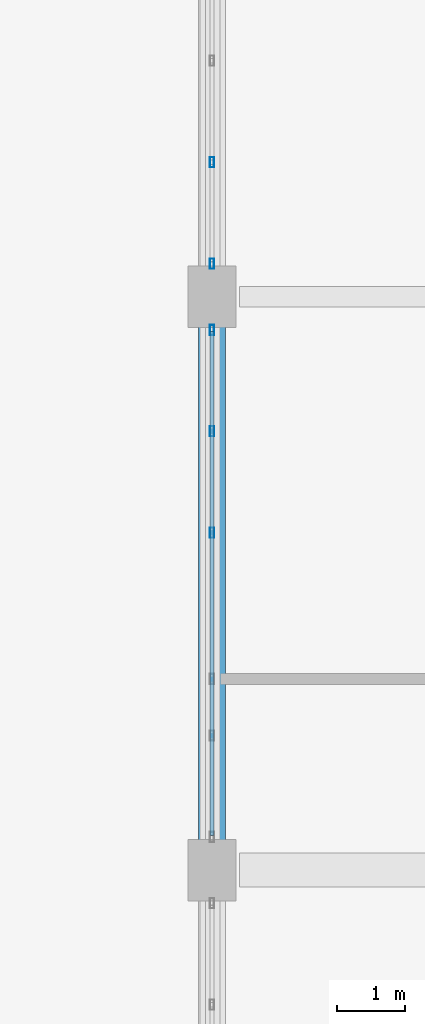
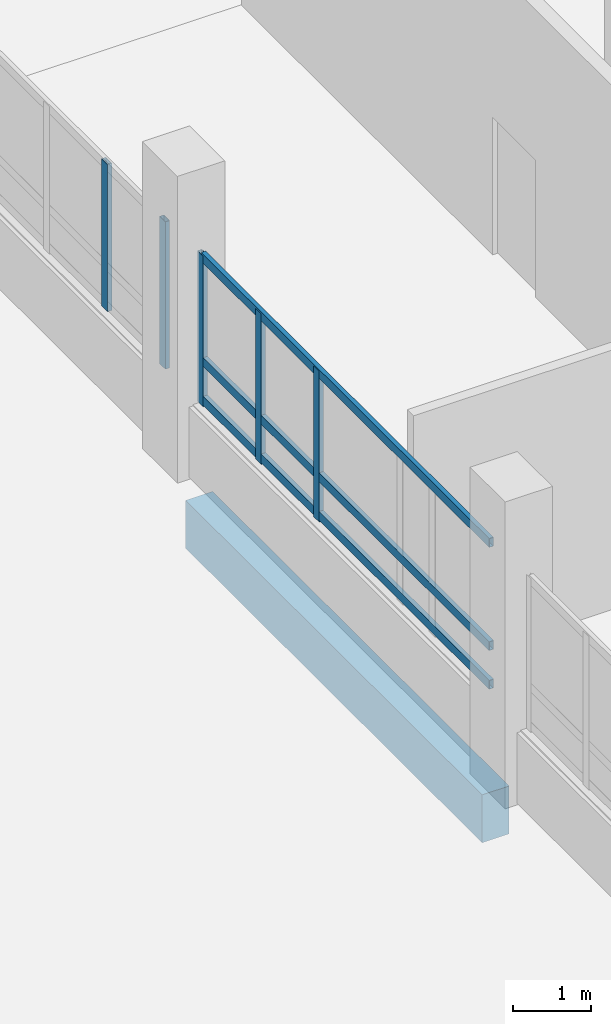
# One storey, part 45 of 95: 8 members, 1 beam, 2 elements without a shape of their own.
"""IFC4 building model written with IfcOpenShell, lengths in metres."""

from ifc_helpers import new_model, si_unit, direction, frame, origin, origin_2d, place, context, subcontext, project, spatial, rectangle, hollow_rectangle, extrude, material, layer, layer_set, material_profile, profile_set, type_object, element, aggregate, save


model = new_model("IFC4")

# Units and contexts
model_context = context("Model", 3, precision=1e-05, world=origin(), true_north=direction((0.0, 1.0)))
body_context = subcontext(model_context, "Body", "Model", "MODEL_VIEW")
ifc_project = project(units=[si_unit("LENGTHUNIT", "METRE"), si_unit("AREAUNIT", "SQUARE_METRE"), si_unit("VOLUMEUNIT", "CUBIC_METRE"), si_unit("PLANEANGLEUNIT", "RADIAN"), si_unit("MASSUNIT", "GRAM", prefix="KILO")], contexts=[model_context])

# Site, building, storey
site_placement = place(None, origin())
site = spatial("IfcSite", under=ifc_project, at=site_placement, CompositionType="ELEMENT")
building_placement = place(site_placement, origin())
building = spatial("IfcBuilding", under=site, at=building_placement, Name="Vireocrest Preparatory School", CompositionType="ELEMENT")
storey_placement = place(building_placement, origin())
storey = spatial("IfcBuildingStorey", under=building, at=storey_placement, Name="L00", CompositionType="ELEMENT", Elevation=0.0)

# Curtain wall, members
ifc_material_1 = material(Name="Thermally broken aluminium EN AW-6063-T6", Category="aluminium")
ifc_layer = layer(ifc_material_1, 0.179931640625)
ifc_layer_set = layer_set([ifc_layer], Name="Thermally broken aluminium EN AW-6063-T6")
curtain_wall_type = type_object("IfcCurtainWallType", Name="Court Banded Curtain Wall 8400x3600", PredefinedType="USERDEFINED", material=ifc_layer_set)
curtain_wall_1_placement = place(storey_placement, origin())
curtain_wall_1 = element("IfcCurtainWall", 1, at=curtain_wall_1_placement, inside=storey, type_object=curtain_wall_type, Name="Curtain Wall CW01 CW_L00_CW01_0924_0694_012", ObjectType="CURTAIN WALL", PredefinedType="USERDEFINED")
ifc_material_profile_1 = material_profile(ifc_material_1, hollow_rectangle(XDim=0.06494140625, YDim=0.14990234375, WallThickness=0.00390625, at=origin_2d()), Name="ALU 65x150x4")
ifc_profile_set_1 = profile_set([ifc_material_profile_1], Name="Thermally broken aluminium EN AW-6063-T6")
member_type_1 = type_object("IfcMemberType", Name="CW Mullion 65x150x4", PredefinedType="MULLION", material=ifc_profile_set_1)
member_1_placement = place(storey_placement, frame((92.39990234375, 73.943115234375, 1.14990234375), z_axis=(0.0, 0.0, 1.0), x_axis=(1.0, 0.0, 0.0)))
member_1 = element("IfcMember", 2, at=member_1_placement, type_object=member_type_1, Name="CW Mullion ML1 CW_L00_CW01_0924_0694_012-4", PredefinedType="MULLION", context=body_context, shape_type="SweptSolid", body=[
    extrude(hollow_rectangle(XDim=0.06494140625, YDim=0.14990234375, WallThickness=0.00390625, at=origin_2d()), origin(), (0.0, 0.0, 1.0), 2.35498046875),
])
member_2_placement = place(storey_placement, frame((92.39990234375, 75.428955078125, 1.14990234375), z_axis=(0.0, 0.0, 1.0), x_axis=(1.0, 0.0, 0.0)))
member_2 = element("IfcMember", 3, at=member_2_placement, type_object=member_type_1, Name="CW Mullion ML1 CW_L00_CW01_0924_0694_012-5", PredefinedType="MULLION", context=body_context, shape_type="SweptSolid", body=[
    extrude(hollow_rectangle(XDim=0.06494140625, YDim=0.14990234375, WallThickness=0.00390625, at=origin_2d()), origin(), (0.0, 0.0, 1.0), 2.35498046875),
])
member_3_placement = place(storey_placement, frame((92.39990234375, 76.9150390625, 1.14990234375), z_axis=(0.0, 0.0, 1.0), x_axis=(1.0, 0.0, 0.0)))
member_3 = element("IfcMember", 4, at=member_3_placement, type_object=member_type_1, Name="CW Mullion ML1 CW_L00_CW01_0924_0694_012-6", PredefinedType="MULLION", context=body_context, shape_type="SweptSolid", body=[
    extrude(hollow_rectangle(XDim=0.06494140625, YDim=0.14990234375, WallThickness=0.00390625, at=origin_2d()), origin(), (0.0, 0.0, 1.0), 2.35498046875),
])

curtain_wall_2_placement = place(storey_placement, origin())
curtain_wall_2 = element("IfcCurtainWall", 5, at=curtain_wall_2_placement, inside=storey, type_object=curtain_wall_type, Name="Curtain Wall CW01 CW_L00_CW01_0924_0778_012", ObjectType="CURTAIN WALL", PredefinedType="USERDEFINED")
member_4_placement = place(storey_placement, frame((92.39990234375, 77.885009765625, 1.14990234375), z_axis=(0.0, 0.0, 1.0), x_axis=(1.0, 0.0, 0.0)))
member_4 = element("IfcMember", 6, at=member_4_placement, type_object=member_type_1, Name="CW Mullion ML1 CW_L00_CW01_0924_0778_012-1", PredefinedType="MULLION", context=body_context, shape_type="SweptSolid", body=[
    extrude(hollow_rectangle(XDim=0.06494140625, YDim=0.14990234375, WallThickness=0.00390625, at=origin_2d()), origin(), (0.0, 0.0, 1.0), 2.30517578125),
])
member_5_placement = place(storey_placement, frame((92.39990234375, 79.37109375, 1.14990234375), z_axis=(0.0, 0.0, 1.0), x_axis=(1.0, 0.0, 0.0)))
member_5 = element("IfcMember", 7, at=member_5_placement, type_object=member_type_1, Name="CW Mullion ML1 CW_L00_CW01_0924_0778_012-2", PredefinedType="MULLION", context=body_context, shape_type="SweptSolid", body=[
    extrude(hollow_rectangle(XDim=0.06494140625, YDim=0.14990234375, WallThickness=0.00390625, at=origin_2d()), origin(), (0.0, 0.0, 1.0), 2.30517578125),
])
aggregate(curtain_wall_2, [member_4, member_5])

# Member
ifc_material_profile_2 = material_profile(ifc_material_1, hollow_rectangle(XDim=0.06494140625, YDim=0.139892578125, WallThickness=0.00390625, at=origin_2d()), Name="ALU 65x140x4")
ifc_profile_set_2 = profile_set([ifc_material_profile_2], Name="Thermally broken aluminium EN AW-6063-T6")
member_type_2 = type_object("IfcMemberType", Name="CW Transom 65x140x4", PredefinedType="USERDEFINED", material=ifc_profile_set_2)
member_6_placement = place(storey_placement, frame((92.39990234375, 69.510009765625, 1.2451171875), z_axis=(0.0, 1.0, 0.0), x_axis=(-1.0, 0.0, 0.0)))
member_6 = element("IfcMember", 8, at=member_6_placement, type_object=member_type_2, Name="CW Transom TR1 CW_L00_CW01_0924_0694_012-1", ObjectType="TRANSOM", PredefinedType="USERDEFINED", context=body_context, shape_type="SweptSolid", body=[
    extrude(hollow_rectangle(XDim=0.06494140625, YDim=0.139892578125, WallThickness=0.00390625, at=origin_2d()), origin(), (0.0, 0.0, 1.0), 7.3798828125),
])

member_7_placement = place(storey_placement, frame((92.39990234375, 69.510009765625, 1.85009765625), z_axis=(0.0, 1.0, 0.0), x_axis=(-1.0, 0.0, 0.0)))
member_7 = element("IfcMember", 9, at=member_7_placement, type_object=member_type_2, Name="CW Transom TR1 CW_L00_CW01_0924_0694_012-2", ObjectType="TRANSOM", PredefinedType="USERDEFINED", context=body_context, shape_type="SweptSolid", body=[
    extrude(hollow_rectangle(XDim=0.06494140625, YDim=0.139892578125, WallThickness=0.00390625, at=origin_2d()), origin(), (0.0, 0.0, 1.0), 7.3798828125),
])

member_8_placement = place(storey_placement, frame((92.39990234375, 69.510009765625, 3.465087890625), z_axis=(0.0, 1.0, 0.0), x_axis=(-1.0, 0.0, 0.0)))
member_8 = element("IfcMember", 10, at=member_8_placement, type_object=member_type_2, Name="CW Transom TR1 CW_L00_CW01_0924_0694_012-3", ObjectType="TRANSOM", PredefinedType="USERDEFINED", context=body_context, shape_type="SweptSolid", body=[
    extrude(hollow_rectangle(XDim=0.06494140625, YDim=0.139892578125, WallThickness=0.00390625, at=origin_2d()), origin(), (0.0, 0.0, 1.0), 7.3798828125),
])

aggregate(curtain_wall_1, [member_1, member_2, member_3, member_6, member_7, member_8])

# Beam
ifc_material_2 = material(Name="Concrete 40 MPa", Category="concrete")
ifc_material_profile_3 = material_profile(ifc_material_2, rectangle(XDim=0.39990234375, YDim=0.75, at=origin_2d()), Name="RC 400x750")
ifc_profile_set_3 = profile_set([ifc_material_profile_3], Name="Concrete 40 MPa")
beam_type = type_object("IfcBeamType", Name="RC Commons Girder 400x750", PredefinedType="BEAM", material=ifc_profile_set_3)
beam_placement = place(storey_placement, frame((92.39990234375, 69.39990234375, -0.72509765625), z_axis=(0.0, 1.0, 0.0), x_axis=(-1.0, 0.0, 0.0)))
element("IfcBeam", 11, at=beam_placement, inside=storey, type_object=beam_type, Name="Primary Girder B09 L00-0200", PredefinedType="BEAM", context=body_context, shape_type="SweptSolid", body=[
    extrude(rectangle(XDim=0.39990234375, YDim=0.75, at=origin_2d()), origin(), (0.0, 0.0, 1.0), 7.60009765625),
])

save(model, "model.ifc")
